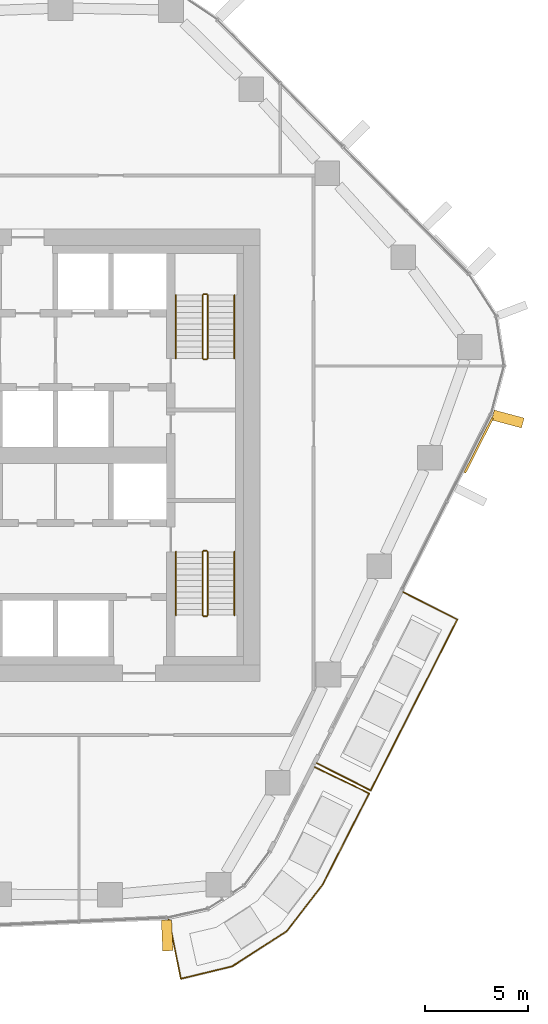
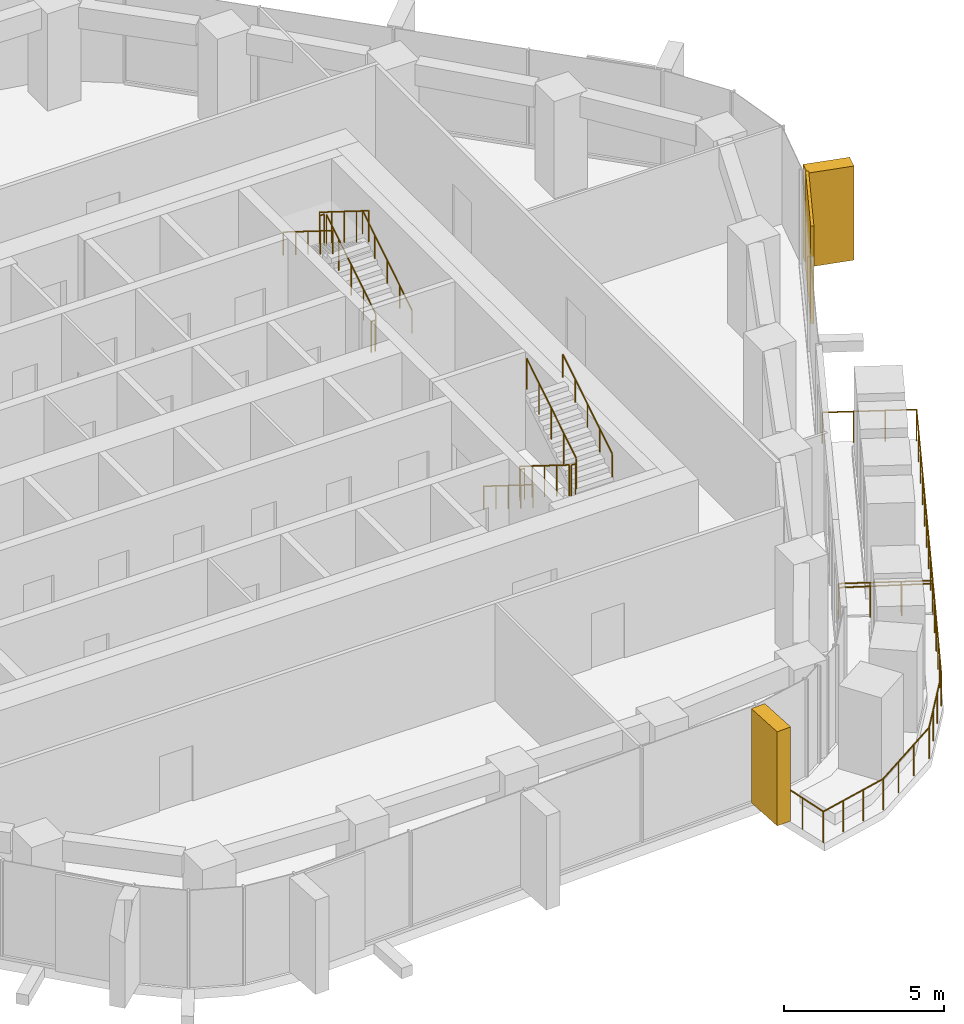
# One storey, part 16 of 17: 14 railings, 3 coverings, 3 elements without a shape of their own.
"""IFC4 building model written with IfcOpenShell, lengths in metres."""

from ifc_helpers import new_model, si_unit, direction, frame, origin, origin_2d, place, context, subcontext, project, spatial, rectangle, circle, extrude, material, layer, layer_set, material_profile, profile_set, type_object, element, aggregate, save


model = new_model("IFC4")

# Units and contexts
model_context = context("Model", 3, precision=1e-05, world=origin(), true_north=direction((0.0, 1.0)))
body_context = subcontext(model_context, "Body", "Model", "MODEL_VIEW")
ifc_project = project(units=[si_unit("LENGTHUNIT", "METRE"), si_unit("AREAUNIT", "SQUARE_METRE"), si_unit("VOLUMEUNIT", "CUBIC_METRE"), si_unit("PLANEANGLEUNIT", "RADIAN"), si_unit("MASSUNIT", "GRAM", prefix="KILO")], contexts=[model_context])

# Site, building, storey
site_placement = place(None, origin())
site = spatial("IfcSite", under=ifc_project, at=site_placement, CompositionType="ELEMENT")
building_placement = place(site_placement, origin())
building = spatial("IfcBuilding", under=site, at=building_placement, Name="Dongbaek Canopy Tower", CompositionType="ELEMENT")
storey_placement = place(building_placement, frame((0.0, 0.0, 179.60009765625)))
storey = spatial("IfcBuildingStorey", under=building, at=storey_placement, Name="L39", CompositionType="ELEMENT", Elevation=179.60009765625)

# Railings
ifc_material_1 = material(Name="Stainless steel", Category="steel")
railing_type_1 = type_object("IfcRailingType", Name="Balcony balustrade 1200", PredefinedType="BALUSTRADE", material=ifc_material_1)
railing_1_placement = place(storey_placement, frame((16.746826171875, -14.96533203125, 0.0)))
element("IfcRailing", 1, at=railing_1_placement, inside=storey, type_object=railing_type_1, Name="Balcony guard L39 1", PredefinedType="BALUSTRADE", context=body_context, shape_type="SweptSolid", body=[
    extrude(circle(Radius=0.02392578125, at=origin_2d()), frame((0.0, 0.0, 1.17578125), z_axis=(0.892005863595, -0.452023826045, 0.0), x_axis=(0.452023826045, 0.892005863595, 0.0)), (0.0, 0.0, 1.0), 2.939697265625),
    extrude(circle(Radius=0.02392578125, at=origin_2d()), frame((2.622314453125, -1.328857421875, 1.17578125), z_axis=(0.452021547481, 0.892007018253, 0.0), x_axis=(-0.892007018253, 0.452021547481, 0.0)), (0.0, 0.0, 1.0), 9.310302734375),
    extrude(circle(Radius=0.02392578125, at=origin_2d()), frame((6.830810546875, 6.97607421875, 1.17578125), z_axis=(-0.892022830295, 0.451990343074, 0.0), x_axis=(-0.451990343074, -0.892022830295, 0.0)), (0.0, 0.0, 1.0), 2.93994140625),
    extrude(circle(Radius=0.02099609375, at=origin_2d()), origin(), (0.0, 0.0, 1.0), 1.15185546875),
    extrude(circle(Radius=0.02099609375, at=origin_2d()), frame((0.8740234375, -0.44287109375, 0.0)), (0.0, 0.0, 1.0), 1.15185546875),
    extrude(circle(Radius=0.02099609375, at=origin_2d()), frame((1.748291015625, -0.885986328125, 0.0)), (0.0, 0.0, 1.0), 1.15185546875),
    extrude(circle(Radius=0.02099609375, at=origin_2d()), frame((2.622314453125, -1.328857421875, 0.0)), (0.0, 0.0, 1.0), 1.15185546875),
    extrude(circle(Radius=0.02099609375, at=origin_2d()), frame((3.1484375, -0.290771484375, 0.0)), (0.0, 0.0, 1.0), 1.15185546875),
    extrude(circle(Radius=0.02099609375, at=origin_2d()), frame((3.67431640625, 0.747314453125, 0.0)), (0.0, 0.0, 1.0), 1.15185546875),
    extrude(circle(Radius=0.02099609375, at=origin_2d()), frame((4.200439453125, 1.785400390625, 0.0)), (0.0, 0.0, 1.0), 1.15185546875),
    extrude(circle(Radius=0.02099609375, at=origin_2d()), frame((4.7265625, 2.82373046875, 0.0)), (0.0, 0.0, 1.0), 1.15185546875),
    extrude(circle(Radius=0.02099609375, at=origin_2d()), frame((5.252685546875, 3.86181640625, 0.0)), (0.0, 0.0, 1.0), 1.15185546875),
    extrude(circle(Radius=0.02099609375, at=origin_2d()), frame((5.77880859375, 4.89990234375, 0.0)), (0.0, 0.0, 1.0), 1.15185546875),
    extrude(circle(Radius=0.02099609375, at=origin_2d()), frame((6.3046875, 5.93798828125, 0.0)), (0.0, 0.0, 1.0), 1.15185546875),
    extrude(circle(Radius=0.02099609375, at=origin_2d()), frame((6.830810546875, 6.97607421875, 0.0)), (0.0, 0.0, 1.0), 1.15185546875),
    extrude(circle(Radius=0.02099609375, at=origin_2d()), frame((5.95654296875, 7.4189453125, 0.0)), (0.0, 0.0, 1.0), 1.15185546875),
    extrude(circle(Radius=0.02099609375, at=origin_2d()), frame((5.08251953125, 7.862060546875, 0.0)), (0.0, 0.0, 1.0), 1.15185546875),
    extrude(circle(Radius=0.02099609375, at=origin_2d()), frame((4.208251953125, 8.304931640625, 0.0)), (0.0, 0.0, 1.0), 1.15185546875),
])
railing_2_placement = place(storey_placement, frame((9.560302734375, -22.572021484375, 0.0)))
element("IfcRailing", 2, at=railing_2_placement, inside=storey, type_object=railing_type_1, Name="Balcony guard L39 2", PredefinedType="BALUSTRADE", context=body_context, shape_type="SweptSolid", body=[
    extrude(circle(Radius=0.02392578125, at=origin_2d()), frame((0.0, 0.0, 1.17578125), z_axis=(0.198255065581, -0.980150462415, 0.0), x_axis=(0.980150462415, 0.198255065581, 0.0)), (0.0, 0.0, 1.0), 2.940673828125),
    extrude(circle(Radius=0.02392578125, at=origin_2d()), frame((0.5830078125, -2.88232421875, 1.17578125), z_axis=(0.971865254001, 0.235537530055, 0.0), x_axis=(-0.235537530055, 0.971865254001, 0.0)), (0.0, 0.0, 1.0), 2.571533203125),
    extrude(circle(Radius=0.02392578125, at=origin_2d()), frame((3.082275390625, -2.276611328125, 1.17578125), z_axis=(0.840454454333, 0.541882192171, 0.0), x_axis=(-0.541882192171, 0.840454454333, 0.0)), (0.0, 0.0, 1.0), 3.13671875),
    extrude(circle(Radius=0.02392578125, at=origin_2d()), frame((5.718505859375, -0.576904296875, 1.17578125), z_axis=(0.610902139733, 0.791706116984, 0.0), x_axis=(-0.791706116984, 0.610902139733, 0.0)), (0.0, 0.0, 1.0), 2.880126953125),
    extrude(circle(Radius=0.02392578125, at=origin_2d()), frame((7.47802734375, 1.703369140625, 1.17578125), z_axis=(0.454052239891, 0.890975063316, 0.0), x_axis=(-0.890975063316, 0.454052239891, 0.0)), (0.0, 0.0, 1.0), 4.97412109375),
    extrude(circle(Radius=0.02392578125, at=origin_2d()), frame((9.736572265625, 6.13525390625, 1.17578125), z_axis=(-0.901050941645, 0.433713269985, 0.0), x_axis=(-0.433713269985, -0.901050941645, 0.0)), (0.0, 0.0, 1.0), 2.940673828125),
    extrude(circle(Radius=0.02099609375, at=origin_2d()), origin(), (0.0, 0.0, 1.0), 1.15185546875),
    extrude(circle(Radius=0.02099609375, at=origin_2d()), frame((0.1943359375, -0.960693359375, 0.0)), (0.0, 0.0, 1.0), 1.15185546875),
    extrude(circle(Radius=0.02099609375, at=origin_2d()), frame((0.388671875, -1.921630859375, 0.0)), (0.0, 0.0, 1.0), 1.15185546875),
    extrude(circle(Radius=0.02099609375, at=origin_2d()), frame((0.5830078125, -2.88232421875, 0.0)), (0.0, 0.0, 1.0), 1.15185546875),
    extrude(circle(Radius=0.02099609375, at=origin_2d()), frame((1.416015625, -2.680419921875, 0.0)), (0.0, 0.0, 1.0), 1.15185546875),
    extrude(circle(Radius=0.02099609375, at=origin_2d()), frame((2.249267578125, -2.478515625, 0.0)), (0.0, 0.0, 1.0), 1.15185546875),
    extrude(circle(Radius=0.02099609375, at=origin_2d()), frame((3.082275390625, -2.276611328125, 0.0)), (0.0, 0.0, 1.0), 1.15185546875),
    extrude(circle(Radius=0.02099609375, at=origin_2d()), frame((3.9609375, -1.7099609375, 0.0)), (0.0, 0.0, 1.0), 1.15185546875),
    extrude(circle(Radius=0.02099609375, at=origin_2d()), frame((4.83984375, -1.1435546875, 0.0)), (0.0, 0.0, 1.0), 1.15185546875),
    extrude(circle(Radius=0.02099609375, at=origin_2d()), frame((5.718505859375, -0.576904296875, 0.0)), (0.0, 0.0, 1.0), 1.15185546875),
    extrude(circle(Radius=0.02099609375, at=origin_2d()), frame((6.304931640625, 0.18310546875, 0.0)), (0.0, 0.0, 1.0), 1.15185546875),
    extrude(circle(Radius=0.02099609375, at=origin_2d()), frame((6.8916015625, 0.943359375, 0.0)), (0.0, 0.0, 1.0), 1.15185546875),
    extrude(circle(Radius=0.02099609375, at=origin_2d()), frame((7.47802734375, 1.703369140625, 0.0)), (0.0, 0.0, 1.0), 1.15185546875),
    extrude(circle(Radius=0.02099609375, at=origin_2d()), frame((7.9296875, 2.58984375, 0.0)), (0.0, 0.0, 1.0), 1.15185546875),
    extrude(circle(Radius=0.02099609375, at=origin_2d()), frame((8.38134765625, 3.47607421875, 0.0)), (0.0, 0.0, 1.0), 1.15185546875),
    extrude(circle(Radius=0.02099609375, at=origin_2d()), frame((8.833251953125, 4.362548828125, 0.0)), (0.0, 0.0, 1.0), 1.15185546875),
    extrude(circle(Radius=0.02099609375, at=origin_2d()), frame((9.284912109375, 5.248779296875, 0.0)), (0.0, 0.0, 1.0), 1.15185546875),
    extrude(circle(Radius=0.02099609375, at=origin_2d()), frame((9.736572265625, 6.13525390625, 0.0)), (0.0, 0.0, 1.0), 1.15185546875),
    extrude(circle(Radius=0.02099609375, at=origin_2d()), frame((8.853271484375, 6.560302734375, 0.0)), (0.0, 0.0, 1.0), 1.15185546875),
    extrude(circle(Radius=0.02099609375, at=origin_2d()), frame((7.97021484375, 6.985595703125, 0.0)), (0.0, 0.0, 1.0), 1.15185546875),
    extrude(circle(Radius=0.02099609375, at=origin_2d()), frame((7.0869140625, 7.41064453125, 0.0)), (0.0, 0.0, 1.0), 1.15185546875),
])

# Curtain wall, covering
ifc_material_2 = material(Name="Aluminium 6063-T6 pale anodised", Category="aluminium")
ifc_layer_1 = layer(ifc_material_2, 0.199951171875)
ifc_layer_set_1 = layer_set([ifc_layer_1], Name="CW-1 unitised tower curtain wall")
curtain_wall_type = type_object("IfcCurtainWallType", Name="CW-1 unitised tower curtain wall", PredefinedType="NOTDEFINED", material=ifc_layer_set_1)
curtain_wall_1_placement = place(storey_placement, origin())
curtain_wall_1 = element("IfcCurtainWall", 3, at=curtain_wall_1_placement, inside=storey, type_object=curtain_wall_type, Name="CW-1 curtain wall F5.1", PredefinedType="NOTDEFINED")
ifc_material_3 = material(Name="Perforated aluminium 6063-T6 pale metal screen", Category="aluminium")
ifc_layer_2 = layer(ifc_material_3, 0.10009765625)
ifc_layer_set_2 = layer_set([ifc_layer_2], Name="Facet screen FS1 100 pale metal")
covering_type_1 = type_object("IfcCoveringType", Name="Facet screen FS1 100 pale metal", PredefinedType="CLADDING", material=ifc_layer_set_2)
covering_1_placement = place(storey_placement, frame((24.62158203125, 0.473388671875, 0.0), z_axis=(0.0, 0.0, 1.0), x_axis=(0.452009738844, 0.892013002142, 0.0)))
covering_1 = element("IfcCovering", 4, at=covering_1_placement, type_object=covering_type_1, Name="Facet screen L39 F5", PredefinedType="CLADDING", context=body_context, shape_type="SweptSolid", body=[
    extrude(rectangle(XDim=2.989501953125, YDim=0.10009765625, at=origin_2d()), origin(), (0.0, 0.0, 1.0), 3.699951171875),
])
aggregate(curtain_wall_1, [covering_1])

curtain_wall_2_placement = place(storey_placement, origin())
curtain_wall_2 = element("IfcCurtainWall", 5, at=curtain_wall_2_placement, inside=storey, type_object=curtain_wall_type, Name="CW-1 curtain wall K0.1", PredefinedType="NOTDEFINED")
ifc_material_4 = material(Name="Aluminium 6063-T6 pale metal fin", Category="aluminium")
ifc_material_profile = material_profile(ifc_material_4, rectangle(XDim=1.5, YDim=0.5, at=origin_2d()), Name="Fin FN1 500 x 1500 pale metal")
ifc_profile_set = profile_set([ifc_material_profile], Name="Aluminium 6063-T6 pale metal fin")
covering_type_2 = type_object("IfcCoveringType", Name="Fin FN1 500 x 1500 pale metal", PredefinedType="CLADDING", material=ifc_profile_set)
covering_2_placement = place(storey_placement, frame((26.039794921875, 1.75537109375, 0.119873046875), z_axis=(0.0, 0.0, 1.0), x_axis=(0.966167065095, -0.257917045436, 0.0)))
covering_2 = element("IfcCovering", 6, at=covering_2_placement, type_object=covering_type_2, Name="Fin K0.1.1", PredefinedType="CLADDING", context=body_context, shape_type="SweptSolid", body=[
    extrude(rectangle(XDim=1.5, YDim=0.5, at=origin_2d()), origin(), (0.0, 0.0, 1.0), 3.580078125),
])
aggregate(curtain_wall_2, [covering_2])

curtain_wall_3_placement = place(storey_placement, origin())
curtain_wall_3 = element("IfcCurtainWall", 7, at=curtain_wall_3_placement, inside=storey, type_object=curtain_wall_type, Name="CW-1 curtain wall F4.1", PredefinedType="NOTDEFINED")
covering_3_placement = place(storey_placement, frame((9.476806640625, -23.345703125, 0.119873046875), z_axis=(0.0, 0.0, 1.0), x_axis=(0.043640187851, -0.999047313196, 0.0)))
covering_3 = element("IfcCovering", 8, at=covering_3_placement, type_object=covering_type_2, Name="Fin F4.1.5", PredefinedType="CLADDING", context=body_context, shape_type="SweptSolid", body=[
    extrude(rectangle(XDim=1.5, YDim=0.5, at=origin_2d()), origin(), (0.0, 0.0, 1.0), 3.580078125),
])
aggregate(curtain_wall_3, [covering_3])

# Railings
ifc_material_5 = material(Name="Stainless steel tube and balusters", Category="steel")
railing_type_2 = type_object("IfcRailingType", Name="Stair guard 1200", PredefinedType="GUARDRAIL", material=ifc_material_5)
railing_3_placement = place(storey_placement, frame((11.449951171875, 4.699951171875, 0.1748046875)))
element("IfcRailing", 9, at=railing_3_placement, inside=storey, type_object=railing_type_2, Name="L39 ST-A stair guard 1", PredefinedType="GUARDRAIL", context=body_context, shape_type="SweptSolid", body=[
    extrude(circle(Radius=0.02392578125, at=origin_2d()), frame((0.0, 0.0, 1.17578125), z_axis=(0.0, 0.847998304005, 0.529998940003), x_axis=(-1.0, 0.0, 0.0)), (0.0, 0.0, 1.0), 3.632080078125),
    extrude(circle(Radius=0.02099609375, at=origin_2d()), origin(), (0.0, 0.0, 1.0), 1.15185546875),
    extrude(circle(Radius=0.02099609375, at=origin_2d()), frame((0.0, 0.77001953125, 0.481201171875)), (0.0, 0.0, 1.0), 1.15185546875),
    extrude(circle(Radius=0.02099609375, at=origin_2d()), frame((0.0, 1.5400390625, 0.96240234375)), (0.0, 0.0, 1.0), 1.15185546875),
    extrude(circle(Radius=0.02099609375, at=origin_2d()), frame((0.0, 2.31005859375, 1.44384765625)), (0.0, 0.0, 1.0), 1.15185546875),
    extrude(circle(Radius=0.02099609375, at=origin_2d()), frame((0.0, 3.080078125, 1.925048828125)), (0.0, 0.0, 1.0), 1.15185546875),
])
railing_4_placement = place(storey_placement, frame((11.39990234375, 7.830078125, 2.099853515625)))
element("IfcRailing", 10, at=railing_4_placement, inside=storey, type_object=railing_type_2, Name="L39 ST-A stair guard 2", PredefinedType="GUARDRAIL", context=body_context, shape_type="SweptSolid", body=[
    extrude(circle(Radius=0.02392578125, at=origin_2d()), frame((0.0, 0.0, 1.17578125), z_axis=(-1.0, 0.0, 0.0), x_axis=(0.0, -1.0, 0.0)), (0.0, 0.0, 1.0), 0.14990234375),
    extrude(circle(Radius=0.02099609375, at=origin_2d()), origin(), (0.0, 0.0, 1.0), 1.15185546875),
    extrude(circle(Radius=0.02099609375, at=origin_2d()), frame((-0.14990234375, 0.0, 0.0)), (0.0, 0.0, 1.0), 1.15185546875),
])
railing_5_placement = place(storey_placement, frame((11.199951171875, 7.780029296875, 2.27490234375)))
element("IfcRailing", 11, at=railing_5_placement, inside=storey, type_object=railing_type_2, Name="L39 ST-A stair guard 3", PredefinedType="GUARDRAIL", context=body_context, shape_type="SweptSolid", body=[
    extrude(circle(Radius=0.02392578125, at=origin_2d()), frame((0.0, 0.0, 1.17578125), z_axis=(0.0, -0.847998304005, 0.529998940003), x_axis=(1.0, 0.0, 0.0)), (0.0, 0.0, 1.0), 3.632080078125),
    extrude(circle(Radius=0.02099609375, at=origin_2d()), origin(), (0.0, 0.0, 1.0), 1.15185546875),
    extrude(circle(Radius=0.02099609375, at=origin_2d()), frame((0.0, -0.77001953125, 0.481201171875)), (0.0, 0.0, 1.0), 1.15185546875),
    extrude(circle(Radius=0.02099609375, at=origin_2d()), frame((0.0, -1.5400390625, 0.96240234375)), (0.0, 0.0, 1.0), 1.15185546875),
    extrude(circle(Radius=0.02099609375, at=origin_2d()), frame((0.0, -2.31005859375, 1.44384765625)), (0.0, 0.0, 1.0), 1.15185546875),
    extrude(circle(Radius=0.02099609375, at=origin_2d()), frame((0.0, -3.080078125, 1.925048828125)), (0.0, 0.0, 1.0), 1.15185546875),
])
railing_6_placement = place(storey_placement, frame((11.39990234375, 4.64990234375, 0.0)))
element("IfcRailing", 12, at=railing_6_placement, inside=storey, type_object=railing_type_2, Name="L39 ST-A stair guard 4", PredefinedType="GUARDRAIL", context=body_context, shape_type="SweptSolid", body=[
    extrude(circle(Radius=0.02392578125, at=origin_2d()), frame((0.0, 0.0, 1.17578125), z_axis=(-1.0, 0.0, 0.0), x_axis=(0.0, -1.0, 0.0)), (0.0, 0.0, 1.0), 0.14990234375),
    extrude(circle(Radius=0.02099609375, at=origin_2d()), origin(), (0.0, 0.0, 1.0), 1.15185546875),
    extrude(circle(Radius=0.02099609375, at=origin_2d()), frame((-0.14990234375, 0.0, 0.0)), (0.0, 0.0, 1.0), 1.15185546875),
])
railing_7_placement = place(storey_placement, frame((11.199951171875, -4.699951171875, 0.1748046875)))
element("IfcRailing", 13, at=railing_7_placement, inside=storey, type_object=railing_type_2, Name="L39 ST-B stair guard 1", PredefinedType="GUARDRAIL", context=body_context, shape_type="SweptSolid", body=[
    extrude(circle(Radius=0.02392578125, at=origin_2d()), frame((0.0, 0.0, 1.17578125), z_axis=(0.0, -0.847998304005, 0.529998940003), x_axis=(1.0, 0.0, 0.0)), (0.0, 0.0, 1.0), 3.632080078125),
    extrude(circle(Radius=0.02099609375, at=origin_2d()), origin(), (0.0, 0.0, 1.0), 1.15185546875),
    extrude(circle(Radius=0.02099609375, at=origin_2d()), frame((0.0, -0.77001953125, 0.481201171875)), (0.0, 0.0, 1.0), 1.15185546875),
    extrude(circle(Radius=0.02099609375, at=origin_2d()), frame((0.0, -1.5400390625, 0.96240234375)), (0.0, 0.0, 1.0), 1.15185546875),
    extrude(circle(Radius=0.02099609375, at=origin_2d()), frame((0.0, -2.31005859375, 1.44384765625)), (0.0, 0.0, 1.0), 1.15185546875),
    extrude(circle(Radius=0.02099609375, at=origin_2d()), frame((0.0, -3.080078125, 1.925048828125)), (0.0, 0.0, 1.0), 1.15185546875),
])
railing_8_placement = place(storey_placement, frame((11.25, -7.830078125, 2.099853515625)))
element("IfcRailing", 14, at=railing_8_placement, inside=storey, type_object=railing_type_2, Name="L39 ST-B stair guard 2", PredefinedType="GUARDRAIL", context=body_context, shape_type="SweptSolid", body=[
    extrude(circle(Radius=0.02392578125, at=origin_2d()), frame((0.0, 0.0, 1.17578125), z_axis=(1.0, 0.0, 0.0), x_axis=(0.0, 1.0, 0.0)), (0.0, 0.0, 1.0), 0.14990234375),
    extrude(circle(Radius=0.02099609375, at=origin_2d()), origin(), (0.0, 0.0, 1.0), 1.15185546875),
    extrude(circle(Radius=0.02099609375, at=origin_2d()), frame((0.14990234375, 0.0, 0.0)), (0.0, 0.0, 1.0), 1.15185546875),
])
railing_9_placement = place(storey_placement, frame((11.449951171875, -7.780029296875, 2.27490234375)))
element("IfcRailing", 15, at=railing_9_placement, inside=storey, type_object=railing_type_2, Name="L39 ST-B stair guard 3", PredefinedType="GUARDRAIL", context=body_context, shape_type="SweptSolid", body=[
    extrude(circle(Radius=0.02392578125, at=origin_2d()), frame((0.0, 0.0, 1.17578125), z_axis=(0.0, 0.847998304005, 0.529998940003), x_axis=(-1.0, 0.0, 0.0)), (0.0, 0.0, 1.0), 3.632080078125),
    extrude(circle(Radius=0.02099609375, at=origin_2d()), origin(), (0.0, 0.0, 1.0), 1.15185546875),
    extrude(circle(Radius=0.02099609375, at=origin_2d()), frame((0.0, 0.77001953125, 0.481201171875)), (0.0, 0.0, 1.0), 1.15185546875),
    extrude(circle(Radius=0.02099609375, at=origin_2d()), frame((0.0, 1.5400390625, 0.96240234375)), (0.0, 0.0, 1.0), 1.15185546875),
    extrude(circle(Radius=0.02099609375, at=origin_2d()), frame((0.0, 2.31005859375, 1.44384765625)), (0.0, 0.0, 1.0), 1.15185546875),
    extrude(circle(Radius=0.02099609375, at=origin_2d()), frame((0.0, 3.080078125, 1.925048828125)), (0.0, 0.0, 1.0), 1.15185546875),
])
railing_10_placement = place(storey_placement, frame((11.25, -4.64990234375, 0.0)))
element("IfcRailing", 16, at=railing_10_placement, inside=storey, type_object=railing_type_2, Name="L39 ST-B stair guard 4", PredefinedType="GUARDRAIL", context=body_context, shape_type="SweptSolid", body=[
    extrude(circle(Radius=0.02392578125, at=origin_2d()), frame((0.0, 0.0, 1.17578125), z_axis=(1.0, 0.0, 0.0), x_axis=(0.0, 1.0, 0.0)), (0.0, 0.0, 1.0), 0.14990234375),
    extrude(circle(Radius=0.02099609375, at=origin_2d()), origin(), (0.0, 0.0, 1.0), 1.15185546875),
    extrude(circle(Radius=0.02099609375, at=origin_2d()), frame((0.14990234375, 0.0, 0.0)), (0.0, 0.0, 1.0), 1.15185546875),
])
ifc_material_6 = material(Name="Stainless steel tube", Category="steel")
railing_type_3 = type_object("IfcRailingType", Name="Stair handrail 900", PredefinedType="HANDRAIL", material=ifc_material_6)
railing_11_placement = place(storey_placement, frame((12.75, 4.699951171875, 0.1748046875)))
element("IfcRailing", 17, at=railing_11_placement, inside=storey, type_object=railing_type_3, Name="L39 ST-A stair handrail 1", PredefinedType="HANDRAIL", context=body_context, shape_type="SweptSolid", body=[
    extrude(circle(Radius=0.02392578125, at=origin_2d()), frame((0.0, 0.0, 0.8759765625), z_axis=(0.0, 0.847998304005, 0.529998940003), x_axis=(-1.0, 0.0, 0.0)), (0.0, 0.0, 1.0), 3.632080078125),
    extrude(circle(Radius=0.02099609375, at=origin_2d()), origin(), (0.0, 0.0, 1.0), 0.851806640625),
    extrude(circle(Radius=0.02099609375, at=origin_2d()), frame((0.0, 0.77001953125, 0.481201171875)), (0.0, 0.0, 1.0), 0.851806640625),
    extrude(circle(Radius=0.02099609375, at=origin_2d()), frame((0.0, 1.5400390625, 0.96240234375)), (0.0, 0.0, 1.0), 0.851806640625),
    extrude(circle(Radius=0.02099609375, at=origin_2d()), frame((0.0, 2.31005859375, 1.44384765625)), (0.0, 0.0, 1.0), 0.851806640625),
    extrude(circle(Radius=0.02099609375, at=origin_2d()), frame((0.0, 3.080078125, 1.925048828125)), (0.0, 0.0, 1.0), 0.851806640625),
])
for number, where, name in (
    (18, (9.89990234375, 7.780029296875, 2.27490234375), "L39 ST-A stair handrail 2"),
    (19, (9.89990234375, -4.699951171875, 0.1748046875), "L39 ST-B stair handrail 1"),
):
    element("IfcRailing", number, at=place(storey_placement, frame(where)), inside=storey, type_object=railing_type_3, Name=name, PredefinedType="HANDRAIL", context=body_context, shape_type="SweptSolid", body=[
        extrude(circle(Radius=0.02392578125, at=origin_2d()), frame((0.0, 0.0, 0.8759765625), z_axis=(0.0, -0.847998304005, 0.529998940003), x_axis=(1.0, 0.0, 0.0)), (0.0, 0.0, 1.0), 3.632080078125),
        extrude(circle(Radius=0.02099609375, at=origin_2d()), origin(), (0.0, 0.0, 1.0), 0.851806640625),
        extrude(circle(Radius=0.02099609375, at=origin_2d()), frame((0.0, -0.77001953125, 0.481201171875)), (0.0, 0.0, 1.0), 0.851806640625),
        extrude(circle(Radius=0.02099609375, at=origin_2d()), frame((0.0, -1.5400390625, 0.96240234375)), (0.0, 0.0, 1.0), 0.851806640625),
        extrude(circle(Radius=0.02099609375, at=origin_2d()), frame((0.0, -2.31005859375, 1.44384765625)), (0.0, 0.0, 1.0), 0.851806640625),
        extrude(circle(Radius=0.02099609375, at=origin_2d()), frame((0.0, -3.080078125, 1.925048828125)), (0.0, 0.0, 1.0), 0.851806640625),
    ])
railing_12_placement = place(storey_placement, frame((12.75, -7.780029296875, 2.27490234375)))
element("IfcRailing", 20, at=railing_12_placement, inside=storey, type_object=railing_type_3, Name="L39 ST-B stair handrail 2", PredefinedType="HANDRAIL", context=body_context, shape_type="SweptSolid", body=[
    extrude(circle(Radius=0.02392578125, at=origin_2d()), frame((0.0, 0.0, 0.8759765625), z_axis=(0.0, 0.847998304005, 0.529998940003), x_axis=(-1.0, 0.0, 0.0)), (0.0, 0.0, 1.0), 3.632080078125),
    extrude(circle(Radius=0.02099609375, at=origin_2d()), origin(), (0.0, 0.0, 1.0), 0.851806640625),
    extrude(circle(Radius=0.02099609375, at=origin_2d()), frame((0.0, 0.77001953125, 0.481201171875)), (0.0, 0.0, 1.0), 0.851806640625),
    extrude(circle(Radius=0.02099609375, at=origin_2d()), frame((0.0, 1.5400390625, 0.96240234375)), (0.0, 0.0, 1.0), 0.851806640625),
    extrude(circle(Radius=0.02099609375, at=origin_2d()), frame((0.0, 2.31005859375, 1.44384765625)), (0.0, 0.0, 1.0), 0.851806640625),
    extrude(circle(Radius=0.02099609375, at=origin_2d()), frame((0.0, 3.080078125, 1.925048828125)), (0.0, 0.0, 1.0), 0.851806640625),
])

save(model, "model.ifc")
